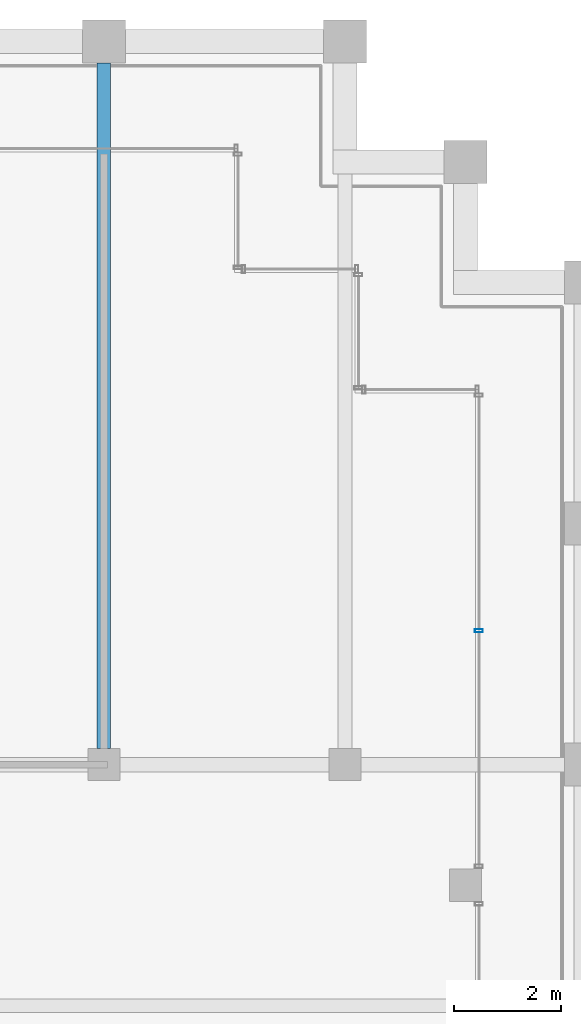
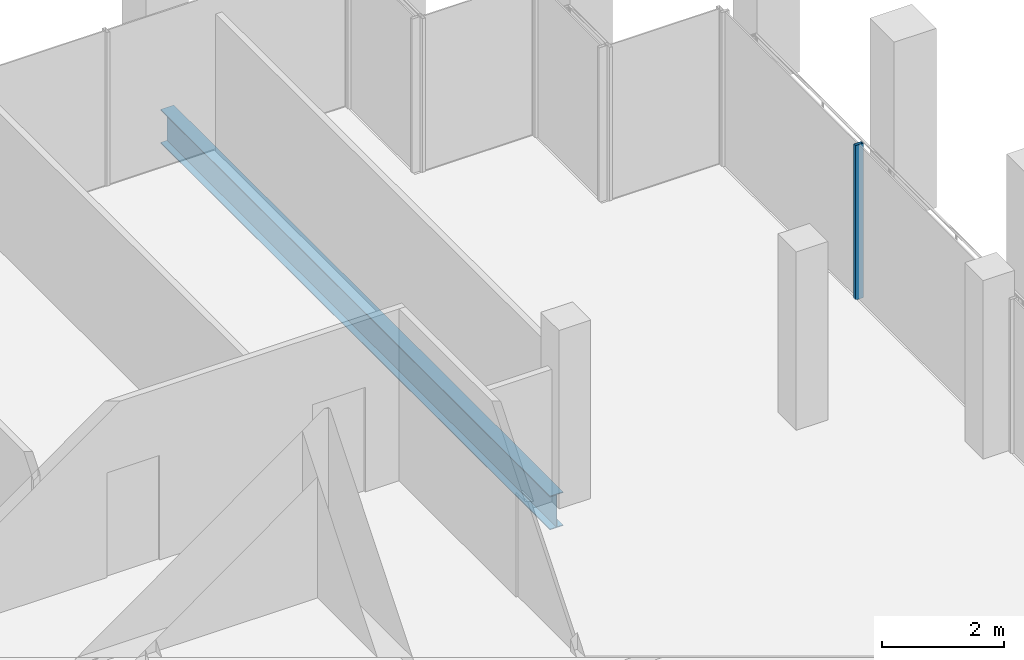
# One storey, part 24 of 30: 1 beam, 1 member, 1 element without a shape of its own.
"""IFC4 building model written with IfcOpenShell, lengths in metres."""

from ifc_helpers import new_model, si_unit, direction, frame, origin, origin_2d, place, context, subcontext, project, spatial, hollow_rectangle, i_section, extrude, material, material_profile, profile_set, type_object, element, aggregate, save


model = new_model("IFC4")

# Units and contexts
model_context = context("Model", 3, precision=1e-05, world=origin(), true_north=direction((0.0, 1.0)))
body_context = subcontext(model_context, "Body", "Model", "MODEL_VIEW")
ifc_project = project(units=[si_unit("LENGTHUNIT", "METRE"), si_unit("AREAUNIT", "SQUARE_METRE"), si_unit("VOLUMEUNIT", "CUBIC_METRE"), si_unit("PLANEANGLEUNIT", "RADIAN"), si_unit("MASSUNIT", "GRAM", prefix="KILO")], contexts=[model_context])

# Site, building, storey
site_placement = place(None, origin())
site = spatial("IfcSite", under=ifc_project, at=site_placement, CompositionType="ELEMENT")
building_placement = place(site_placement, origin())
building = spatial("IfcBuilding", under=site, at=building_placement, Name="Altepetl Exchange Towers", CompositionType="ELEMENT")
storey_placement = place(building_placement, frame((0.0, 0.0, 217.199951171875)))
storey = spatial("IfcBuildingStorey", under=building, at=storey_placement, Name="L55", CompositionType="ELEMENT", Elevation=217.199951171875)

# Beam
ifc_material_1 = material(Name="Steel S355", Category="steel")
ifc_material_profile_1 = material_profile(ifc_material_1, i_section(OverallWidth=0.2529296875, OverallDepth=0.677978515625, WebThickness=0.01171875, FlangeThickness=0.016357421875, at=origin_2d()), Name="W27X84")
ifc_profile_set_1 = profile_set([ifc_material_profile_1], Name="Steel S355")
beam_type = type_object("IfcBeamType", Name="Floor beam W27X84", PredefinedType="BEAM", material=ifc_profile_set_1)
beam_placement = place(storey_placement, frame((63.0, 58.800048828125, -0.489013671875), z_axis=(0.0, 1.0, 0.0), x_axis=(-1.0, 0.0, 0.0)))
element("IfcBeam", 1, at=beam_placement, inside=storey, type_object=beam_type, Name="bm:A:L55:004", PredefinedType="BEAM", context=body_context, shape_type="SweptSolid", body=[
    extrude(i_section(OverallWidth=0.2529296875, OverallDepth=0.677978515625, WebThickness=0.01171875, FlangeThickness=0.016357421875, at=origin_2d()), origin(), (0.0, 0.0, 1.0), 12.800048828125),
])

# Curtain wall, member
ifc_material_2 = material(Name="Aluminium 6063-T6 glazing", Category="aluminium")
curtain_wall_type = type_object("IfcCurtainWallType", Name="Loggia glazing system", PredefinedType="NOTDEFINED", material=ifc_material_2)
curtain_wall_placement = place(storey_placement, origin())
curtain_wall = element("IfcCurtainWall", 2, at=curtain_wall_placement, inside=storey, type_object=curtain_wall_type, Name="CW1 run", PredefinedType="NOTDEFINED")
ifc_material_3 = material(Name="Aluminium 6063-T6", Category="aluminium")
ifc_material_profile_2 = material_profile(ifc_material_3, hollow_rectangle(XDim=0.06005859375, YDim=0.14990234375, WallThickness=0.0029296875, at=origin_2d()), Name="Mullion 60x150 aluminium")
ifc_profile_set_2 = profile_set([ifc_material_profile_2], Name="Aluminium 6063-T6")
member_type = type_object("IfcMemberType", Name="Mullion 60x150 aluminium", PredefinedType="MULLION", material=ifc_profile_set_2)
member_placement = place(storey_placement, frame((70.0, 60.99755859375, 0.0), z_axis=(0.0, 0.0, 1.0), x_axis=(0.0, 1.0, 0.0)))
member = element("IfcMember", 3, at=member_placement, type_object=member_type, Name="MU1 mullion", PredefinedType="MULLION", context=body_context, shape_type="SweptSolid", body=[
    extrude(hollow_rectangle(XDim=0.06005859375, YDim=0.14990234375, WallThickness=0.0029296875, at=origin_2d()), origin(), (0.0, 0.0, 1.0), 3.10009765625),
])
aggregate(curtain_wall, [member])

save(model, "model.ifc")
